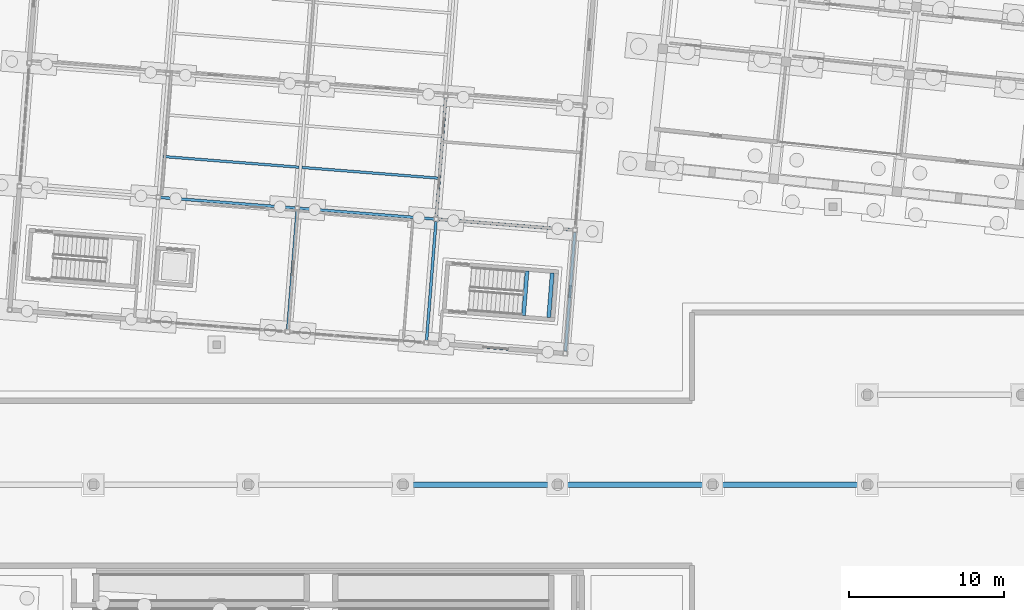
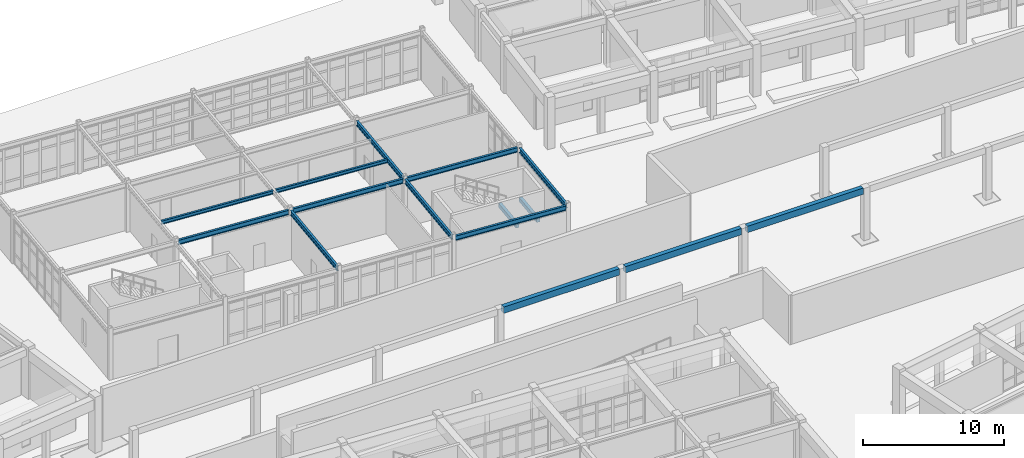
# One storey, part 74 of 154: 15 beams.
"""IFC4 building model written with IfcOpenShell, lengths in metres."""

from ifc_helpers import new_model, si_unit, direction, frame, origin, origin_2d, place, context, subcontext, project, spatial, rectangle, i_section, extrude, material, material_profile, profile_set, type_object, element, save


model = new_model("IFC4")

# Units and contexts
model_context = context("Model", 3, precision=1e-05, world=origin(), true_north=direction((0.0, 1.0)))
body_context = subcontext(model_context, "Body", "Model", "MODEL_VIEW")
ifc_project = project(units=[si_unit("LENGTHUNIT", "METRE"), si_unit("AREAUNIT", "SQUARE_METRE"), si_unit("VOLUMEUNIT", "CUBIC_METRE"), si_unit("PLANEANGLEUNIT", "RADIAN"), si_unit("MASSUNIT", "GRAM", prefix="KILO")], contexts=[model_context])

# Site, building, storey
site_placement = place(None, origin())
site = spatial("IfcSite", under=ifc_project, at=site_placement, CompositionType="ELEMENT")
building_placement = place(site_placement, origin())
building = spatial("IfcBuilding", under=site, at=building_placement, Name="Kestramere Prow Commons", CompositionType="ELEMENT")
storey_placement = place(building_placement, origin())
storey = spatial("IfcBuildingStorey", under=building, at=storey_placement, Name="L00", CompositionType="ELEMENT", Elevation=0.0)

# Beams
ifc_material_1 = material(Name="Precast concrete C40/50", Category="concrete")
ifc_material_profile_1 = material_profile(ifc_material_1, rectangle(XDim=0.35009765625, YDim=0.550048828125, at=origin_2d()), Name="PC-BM 350x550")
ifc_profile_set_1 = profile_set([ifc_material_profile_1], Name="Precast concrete C40/50")
beam_type_1 = type_object("IfcBeamType", Name="BM-C1 PC-BM 350x550", PredefinedType="BEAM", material=ifc_profile_set_1)
for number, where, z_axis, x_axis, name in (
    (1, (94.25, 74.199951171875, 3.925048828125), (1.0, 0.0, 0.0), (0.0, 1.0, 0.0), "Courtyard Support Girder 74-4"),
    (2, (104.25, 74.199951171875, 3.925048828125), (1.0, 0.0, 0.0), (0.0, 1.0, 0.0), "Courtyard Support Girder 74-5"),
    (3, (114.25, 74.199951171875, 3.925048828125), (1.0, 0.0, 0.0), (0.0, 1.0, 0.0), "Courtyard Support Girder 74-6"),
):
    element("IfcBeam", number, at=place(storey_placement, frame(where, z_axis=z_axis, x_axis=x_axis)), inside=storey, type_object=beam_type_1, Name=name, PredefinedType="BEAM", context=body_context, shape_type="SweptSolid", body=[
        extrude(rectangle(XDim=0.35009765625, YDim=0.550048828125, at=origin_2d()), origin(), (0.0, 0.0, 1.0), 9.5),
    ])
ifc_material_2 = material(Name="Steel S355JR", Category="steel")
ifc_material_profile_2 = material_profile(ifc_material_2, i_section(OverallWidth=0.177978515625, OverallDepth=0.406494140625, WebThickness=0.0078125, FlangeThickness=0.0126953125, FilletRadius=0.01025390625, at=origin_2d()), Name="UB 406x178x60")
ifc_profile_set_2 = profile_set([ifc_material_profile_2], Name="Steel S355JR")
beam_type_2 = type_object("IfcBeamType", Name="BM-NR-01 UB 406x178x60", PredefinedType="BEAM", material=ifc_profile_set_2)
beam_1_placement = place(storey_placement, frame((78.349365234375, 92.75732421875, 4.046875), z_axis=(0.996919433544, -0.078432410537, 0.0), x_axis=(0.078432410537, 0.996919433544, 0.0)))
element("IfcBeam", 4, at=beam_1_placement, inside=storey, type_object=beam_type_2, Name="Nursery L00 Beam U 2-2", PredefinedType="BEAM", context=body_context, shape_type="SweptSolid", body=[
    extrude(i_section(OverallWidth=0.177978515625, OverallDepth=0.406494140625, WebThickness=0.0078125, FlangeThickness=0.0126953125, FilletRadius=0.01025390625, at=origin_2d()), origin(), (0.0, 0.0, 1.0), 8.7001953125),
])
for number, where, z_axis, x_axis, name in (
    (5, (87.32177734375, 92.05126953125, 4.046875), (0.996917066238, -0.078462494502, 0.0), (0.078462494502, 0.996917066238, 0.0), "Nursery L00 Beam U 2-3"),
    (6, (96.2939453125, 91.34521484375, 4.046875), (0.996917066238, -0.078462494502, 0.0), (0.078462494502, 0.996917066238, 0.0), "Nursery L00 Beam U 2-4"),
):
    element("IfcBeam", number, at=place(storey_placement, frame(where, z_axis=z_axis, x_axis=x_axis)), inside=storey, type_object=beam_type_2, Name=name, PredefinedType="BEAM", context=body_context, shape_type="SweptSolid", body=[
        extrude(i_section(OverallWidth=0.177978515625, OverallDepth=0.406494140625, WebThickness=0.0078125, FlangeThickness=0.0126953125, FilletRadius=0.01025390625, at=origin_2d()), origin(), (0.0, 0.0, 1.0), 8.699951171875),
    ])
for number, where, z_axis, x_axis, name in (
    (7, (86.556396484375, 84.2373046875, 4.046875), (0.078442108986, 0.996918670473, 0.0), (-0.996918670473, 0.078442108986, 0.0), "Nursery L00 Beam V 3-1"),
    (8, (95.528564453125, 83.53125, 4.046875), (0.078442108986, 0.996918670473, 0.0), (-0.996918670473, 0.078442108986, 0.0), "Nursery L00 Beam V 4-1"),
    (9, (96.15625, 91.506591796875, 4.046875), (0.078442108986, 0.996918670473, 0.0), (-0.996918670473, 0.078442108986, 0.0), "Nursery L00 Beam V 4-2"),
):
    element("IfcBeam", number, at=place(storey_placement, frame(where, z_axis=z_axis, x_axis=x_axis)), inside=storey, type_object=beam_type_2, Name=name, PredefinedType="BEAM", context=body_context, shape_type="SweptSolid", body=[
        extrude(i_section(OverallWidth=0.177978515625, OverallDepth=0.406494140625, WebThickness=0.0078125, FlangeThickness=0.0126953125, FilletRadius=0.01025390625, at=origin_2d()), origin(), (0.0, 0.0, 1.0), 7.699951171875),
    ])
ifc_material_profile_3 = material_profile(ifc_material_2, i_section(OverallWidth=0.177978515625, OverallDepth=0.406494140625, WebThickness=0.0078125, FlangeThickness=0.0126953125, FilletRadius=0.01025390625, at=origin_2d()), Name="UB 406x178x60")
ifc_profile_set_3 = profile_set([ifc_material_profile_3], Name="Steel S355JR")
beam_type_3 = type_object("IfcBeamType", Name="BM-NR-01 UB 406x178x60 (EX)", PredefinedType="BEAM", material=ifc_profile_set_3)
beam_2_placement = place(storey_placement, frame((95.666259765625, 83.369873046875, 4.046875), z_axis=(0.996917238993, -0.078460299505, 0.0), x_axis=(0.078460299505, 0.996917238993, 0.0)))
element("IfcBeam", 10, at=beam_2_placement, inside=storey, type_object=beam_type_3, Name="Nursery L00 Beam U 1-4", PredefinedType="BEAM", context=body_context, shape_type="SweptSolid", body=[
    extrude(i_section(OverallWidth=0.177978515625, OverallDepth=0.406494140625, WebThickness=0.0078125, FlangeThickness=0.0126953125, FilletRadius=0.01025390625, at=origin_2d()), origin(), (0.0, 0.0, 1.0), 8.7001953125),
])
beam_3_placement = place(storey_placement, frame((104.500732421875, 82.824951171875, 4.046875), z_axis=(0.078473620365, 0.996916190513, 0.0), x_axis=(-0.996916190513, 0.078473620365, 0.0)))
element("IfcBeam", 11, at=beam_3_placement, inside=storey, type_object=beam_type_3, Name="Nursery L00 Beam V 5-1", PredefinedType="BEAM", context=body_context, shape_type="SweptSolid", body=[
    extrude(i_section(OverallWidth=0.177978515625, OverallDepth=0.406494140625, WebThickness=0.0078125, FlangeThickness=0.0126953125, FilletRadius=0.01025390625, at=origin_2d()), origin(), (0.0, 0.0, 1.0), 7.699951171875),
])
ifc_material_3 = material(Name="Concrete C40/50", Category="concrete")
ifc_material_profile_4 = material_profile(ifc_material_3, rectangle(XDim=0.25, YDim=0.35009765625, at=origin_2d()), Name="PC-BM 250x350")
ifc_profile_set_4 = profile_set([ifc_material_profile_4], Name="Concrete C40/50")
beam_type_4 = type_object("IfcBeamType", Name="BM-ST-TRIM", PredefinedType="BEAM", material=ifc_profile_set_4)
beam_4_placement = place(storey_placement, frame((101.79296875, 85.12451171875, 1.875), z_axis=(0.078395384877, 0.996922345837, 0.0), x_axis=(-0.996922345837, 0.078395384877, 0.0)))
element("IfcBeam", 12, at=beam_4_placement, inside=storey, type_object=beam_type_4, Name="ST-N2 L00 Landing Trimmer Beam 1A", PredefinedType="BEAM", context=body_context, shape_type="SweptSolid", body=[
    extrude(rectangle(XDim=0.25, YDim=0.35009765625, at=origin_2d()), origin(), (0.0, 0.0, 1.0), 2.889892578125),
])
beam_5_placement = place(storey_placement, frame((103.417724609375, 84.99658203125, 1.875), z_axis=(0.078479342642, 0.99691574006, 0.0), x_axis=(-0.99691574006, 0.078479342642, 0.0)))
element("IfcBeam", 13, at=beam_5_placement, inside=storey, type_object=beam_type_4, Name="ST-N2 L00 Landing Trimmer Beam 1B", PredefinedType="BEAM", context=body_context, shape_type="SweptSolid", body=[
    extrude(rectangle(XDim=0.25, YDim=0.35009765625, at=origin_2d()), origin(), (0.0, 0.0, 1.0), 2.89013671875),
])
ifc_material_profile_5 = material_profile(ifc_material_2, i_section(OverallWidth=0.1650390625, OverallDepth=0.303466796875, WebThickness=0.006103515625, FlangeThickness=0.01025390625, FilletRadius=0.0087890625, at=origin_2d()), Name="UB 305x165x40")
ifc_profile_set_5 = profile_set([ifc_material_profile_5], Name="Steel S355JR")
beam_type_5 = type_object("IfcBeamType", Name="JST-NR-01 UB 305x165x40", PredefinedType="JOIST", material=ifc_profile_set_5)
for number, where, z_axis, x_axis, name in (
    (14, (78.49658203125, 95.404052734375, 4.098388671875), (0.996917659029, -0.07845496234, 0.0), (0.07845496234, 0.996917659029, 0.0), "Nursery L00 Secondary Joist 2-2"),
    (15, (87.46875, 94.697998046875, 4.098388671875), (0.996917659029, -0.07845496234, 0.0), (0.07845496234, 0.996917659029, 0.0), "Nursery L00 Secondary Joist 3-2"),
):
    element("IfcBeam", number, at=place(storey_placement, frame(where, z_axis=z_axis, x_axis=x_axis)), inside=storey, type_object=beam_type_5, Name=name, PredefinedType="JOIST", context=body_context, shape_type="SweptSolid", body=[
        extrude(i_section(OverallWidth=0.1650390625, OverallDepth=0.303466796875, WebThickness=0.006103515625, FlangeThickness=0.01025390625, FilletRadius=0.0087890625, at=origin_2d()), origin(), (0.0, 0.0, 1.0), 8.822021484375),
    ])

save(model, "model.ifc")
